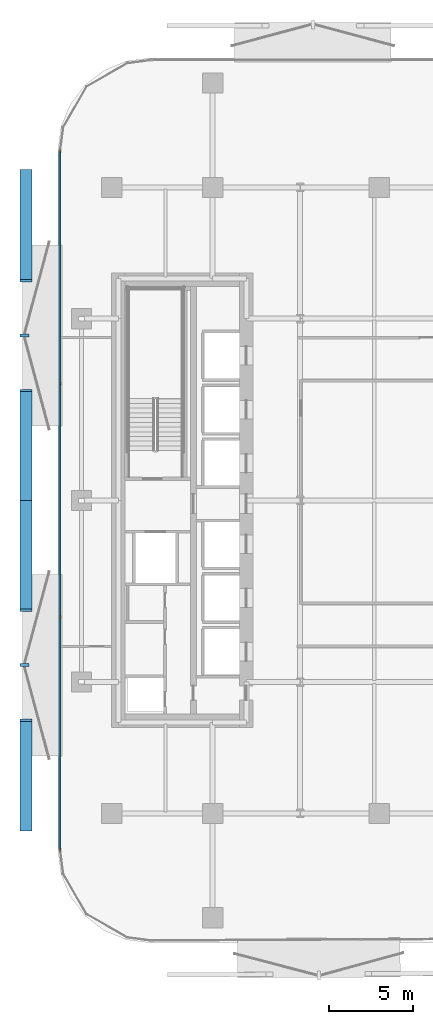
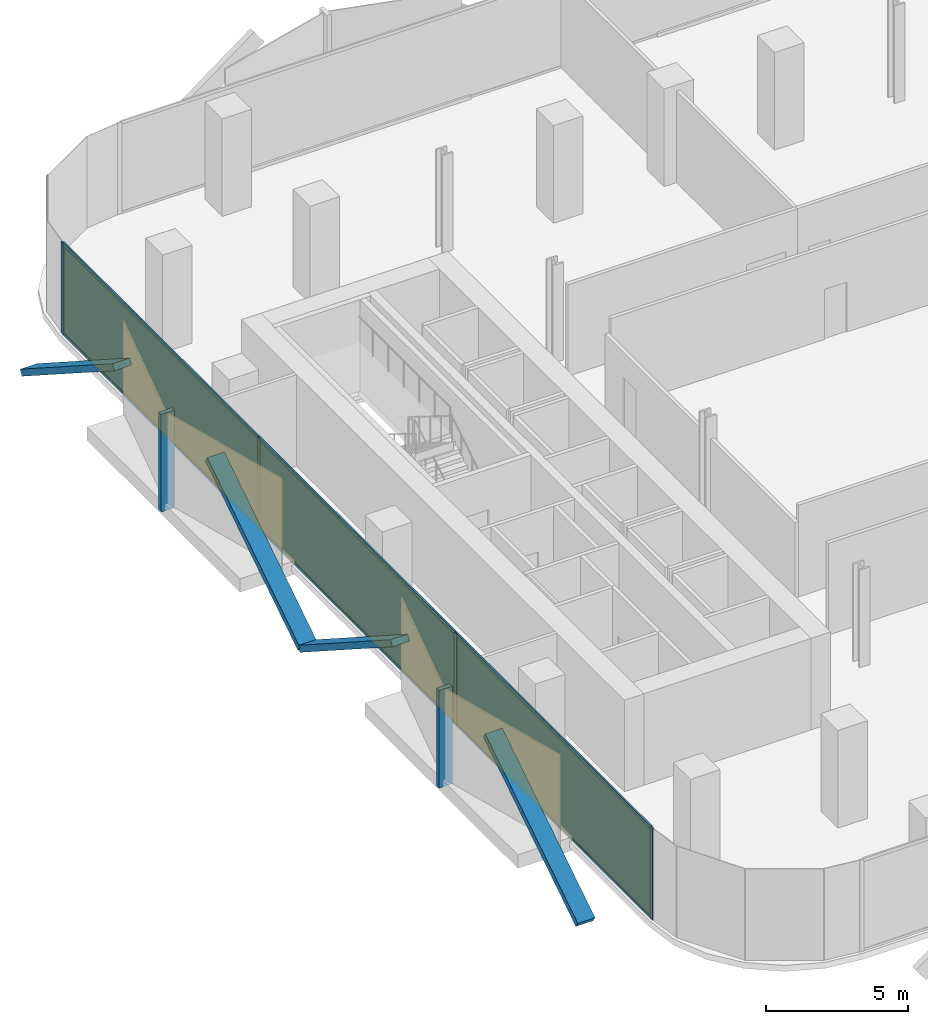
# One storey, part 7 of 14: 16 members, 3 plates, 1 curtain wall.
"""IFC4 building model written with IfcOpenShell, lengths in metres."""

import ifcopenshell
import ifcopenshell.guid

model = None  # the IFC model being written
_history = None  # IfcOwnerHistory: only IFC2X3 demands one
_inside = {}  # id of a spatial element -> (the spatial element, [elements in it])
_under = {}  # id of a project, library or spatial element -> (it, [spatial elements below it])
_declared = {}  # id of a project -> (the project, [libraries it declares])
_typed = {}  # id of a type object -> (the type object, [elements of that type])
_made_of = {}  # id of a material, layer set ... -> (it, [elements and type objects made of it])


def new_model(schema):
    """Start an empty IFC model of exactly this schema.

    Asked for "IFC4X3", IfcOpenShell would pick the latest addendum, in which some entities
    have other attributes; the version numbers below select the first issue.
    IFC2X3 requires an IfcOwnerHistory on every rooted entity: one is made here for all.
    """
    global model, _history
    if schema == "IFC4X3":
        model = ifcopenshell.file(schema_version=(4, 3, 0, 0))
    else:
        model = ifcopenshell.file(schema=schema)
    _inside.clear()
    _under.clear()
    _declared.clear()
    _typed.clear()
    _made_of.clear()
    _history = None
    if model.schema == "IFC2X3":
        org = make("IfcOrganization", Name="unknown")
        user = make(
            "IfcPersonAndOrganization",
            ThePerson=make("IfcPerson", FamilyName="unknown"),
            TheOrganization=org,
        )
        app = make(
            "IfcApplication",
            ApplicationDeveloper=org,
            Version="unknown",
            ApplicationFullName="unknown",
            ApplicationIdentifier="unknown",
        )
        _history = make(
            "IfcOwnerHistory",
            OwningUser=user,
            OwningApplication=app,
            ChangeAction="ADDED",
            CreationDate=0,
        )
    return model


def make(cls, **values):
    """One entity of the class cls with the attributes given. An attribute that is None is left unset."""
    return model.create_entity(
        cls, **{name: value for name, value in values.items() if value is not None}
    )


def rooted(cls, **values):
    """An entity with a GlobalId (a new one), such as an element, a storey or a relation."""
    return make(cls, GlobalId=ifcopenshell.guid.new(), OwnerHistory=_history, **values)


def si_unit(unit_type, name, prefix=None):
    """IfcSIUnit, for example si_unit("LENGTHUNIT", "METRE", prefix="MILLI")."""
    return make("IfcSIUnit", UnitType=unit_type, Prefix=prefix, Name=name)


def assignment(units):
    """IfcUnitAssignment: the units of a project."""
    return None if units is None else make("IfcUnitAssignment", Units=units)


def point(xyz):
    """IfcCartesianPoint."""
    return None if xyz is None else make("IfcCartesianPoint", Coordinates=xyz)


def direction(xyz):
    """IfcDirection."""
    return None if xyz is None else make("IfcDirection", DirectionRatios=xyz)


def frame(location, z_axis=None, x_axis=None):
    """IfcAxis2Placement3D, a coordinate frame: its origin and axes. An axis left out is left unset."""
    return make(
        "IfcAxis2Placement3D",
        Location=point(location),
        Axis=direction(z_axis),
        RefDirection=direction(x_axis),
    )


def frame_2d(location, x_axis=None):
    """IfcAxis2Placement2D, a coordinate frame in the plane: its origin and x axis."""
    return make(
        "IfcAxis2Placement2D", Location=point(location), RefDirection=direction(x_axis)
    )


def origin():
    """The frame at (0, 0, 0) with its axes left unset."""
    return frame((0.0, 0.0, 0.0))


def origin_2d():
    """The frame at (0, 0) in the plane with its x axis left unset."""
    return frame_2d((0.0, 0.0))


def place(relative_to, where):
    """IfcLocalPlacement: puts the frame where relative to a parent placement (None: the world)."""
    return make(
        "IfcLocalPlacement", PlacementRelTo=relative_to, RelativePlacement=where
    )


def context(
    kind, dimensions, precision=None, world=None, true_north=None, identifier=None
):
    """IfcGeometricRepresentationContext, for example the 3D "Model" context."""
    return make(
        "IfcGeometricRepresentationContext",
        ContextIdentifier=identifier,
        ContextType=kind,
        CoordinateSpaceDimension=dimensions,
        Precision=precision,
        WorldCoordinateSystem=world,
        TrueNorth=true_north,
    )


def subcontext(parent, identifier, kind, view, scale=None):
    """IfcGeometricRepresentationSubContext, for example "Body" below "Model"."""
    return make(
        "IfcGeometricRepresentationSubContext",
        ContextIdentifier=identifier,
        ContextType=kind,
        ParentContext=parent,
        TargetScale=scale,
        TargetView=view,
    )


def project(units=None, contexts=None):
    """IfcProject with its units and contexts."""
    return rooted(
        "IfcProject",
        Name="project",
        RepresentationContexts=contexts,
        UnitsInContext=assignment(units),
    )


def spatial(cls, under=None, at=None, **own):
    """A site, building, storey or space (cls), placed at a placement, below another one or the project."""
    s = rooted(cls, ObjectPlacement=at, **own)
    if under is not None:
        _under.setdefault(under.id(), (under, []))[1].append(s)
    return s


def profile(cls, at=None, kind="AREA", **sizes):
    """A parametric profile (cls). Its sizes go by their IFC names, for example OverallWidth=200.0."""
    return make(cls, ProfileType=kind, Position=at, **sizes)


def rectangle(**sizes):
    """IfcRectangleProfileDef."""
    return profile("IfcRectangleProfileDef", **sizes)


def extrude(swept, where, along, depth):
    """IfcExtrudedAreaSolid: the profile swept, set in the frame where, extruded along a direction by depth."""
    return make(
        "IfcExtrudedAreaSolid",
        SweptArea=swept,
        Position=where,
        ExtrudedDirection=direction(along),
        Depth=depth,
    )


def shape(context_of_items, identifier, shape_type, items):
    """IfcShapeRepresentation: the items that make up one representation, for example the "Body"."""
    return make(
        "IfcShapeRepresentation",
        ContextOfItems=context_of_items,
        RepresentationIdentifier=identifier,
        RepresentationType=shape_type,
        Items=items,
    )


def material(Name=None, Category=None):
    """IfcMaterial."""
    return make("IfcMaterial", Name=Name, Category=Category)


def layer(
    of_material, thickness, ventilated=None, Name=None, Category=None, Priority=None
):
    """IfcMaterialLayer: one layer of a wall or slab, of a material (None: an air gap)."""
    return make(
        "IfcMaterialLayer",
        Material=of_material,
        LayerThickness=thickness,
        IsVentilated=ventilated,
        Name=Name,
        Category=Category,
        Priority=Priority,
    )


def layer_set(layers, Name=None):
    """IfcMaterialLayerSet."""
    return make("IfcMaterialLayerSet", MaterialLayers=layers, LayerSetName=Name)


def material_profile(
    of_material, cross_section, Name=None, Category=None, Priority=None
):
    """IfcMaterialProfile: a cross section and its material."""
    return make(
        "IfcMaterialProfile",
        Name=Name,
        Material=of_material,
        Profile=cross_section,
        Priority=Priority,
        Category=Category,
    )


def profile_set(profiles, Name=None, composite=None):
    """IfcMaterialProfileSet."""
    return make(
        "IfcMaterialProfileSet",
        Name=Name,
        MaterialProfiles=profiles,
        CompositeProfile=composite,
    )


def made_of(thing, what):
    """Note that an element or type object is made of a material, layer set ...; save() writes the relation."""
    if what is not None:
        _made_of.setdefault(what.id(), (what, []))[1].append(thing)
    return thing


def type_object(cls, material=None, **own):
    """A type object (cls), such as IfcWallType, which elements share."""
    return made_of(rooted(cls, **own), material)


def element(
    cls,
    number,
    at=None,
    inside=None,
    cuts=None,
    type_object=None,
    material=None,
    context=None,
    identifier="Body",
    shape_type=None,
    held_by="IfcProductDefinitionShape",
    body=None,
    shapes=None,
    **own,
):
    """One element of the class cls, such as IfcWall. Its Tag is "e" and its number.

    at: its placement. inside: the storey or other place that contains it. cuts: it is an
    opening in that element (IfcRelVoidsElement). A single representation is given by context,
    identifier, shape_type and body (its items); several are given by shapes. held_by: the class
    of the entity that holds the representations. save() writes the other relations.
    """
    e = rooted(cls, Tag="e%d" % number, ObjectPlacement=at, **own)
    if body is not None:
        shapes = [shape(context, identifier, shape_type, body)]
    if shapes is not None:
        e.Representation = make(held_by, Representations=shapes)
    if inside is not None:
        _inside.setdefault(inside.id(), (inside, []))[1].append(e)
    if cuts is not None:
        rooted(
            "IfcRelVoidsElement", RelatingBuildingElement=cuts, RelatedOpeningElement=e
        )
    if type_object is not None:
        _typed.setdefault(type_object.id(), (type_object, []))[1].append(e)
    return made_of(e, material)


def aggregate(whole, parts):
    """IfcRelAggregates: a whole, such as a stair, and the parts it consists of."""
    return rooted("IfcRelAggregates", RelatingObject=whole, RelatedObjects=parts)


def save(model, path):
    """Write the relations noted so far, then the file.

    IfcRelAggregates (storeys below a building ...), IfcRelContainedInSpatialStructure (elements
    in a storey), IfcRelDefinesByType, IfcRelAssociatesMaterial and IfcRelDeclares: one each for
    every whole, place, type object, material and project.
    """
    for whole, parts in _under.values():
        aggregate(whole, parts)
    for where, things in _inside.values():
        rooted(
            "IfcRelContainedInSpatialStructure",
            RelatedElements=things,
            RelatingStructure=where,
        )
    for kind, things in _typed.values():
        rooted("IfcRelDefinesByType", RelatedObjects=things, RelatingType=kind)
    for what, things in _made_of.values():
        rooted("IfcRelAssociatesMaterial", RelatedObjects=things, RelatingMaterial=what)
    for by, libraries in _declared.values():
        rooted("IfcRelDeclares", RelatingContext=by, RelatedDefinitions=libraries)
    model.write(path)


model = new_model("IFC4")

# Units and contexts
model_context = context("Model", 3, precision=1e-05, world=origin(), true_north=direction((0.0, 1.0)))
body_context = subcontext(model_context, "Body", "Model", "MODEL_VIEW")
ifc_project = project(units=[si_unit("LENGTHUNIT", "METRE"), si_unit("AREAUNIT", "SQUARE_METRE"), si_unit("VOLUMEUNIT", "CUBIC_METRE"), si_unit("PLANEANGLEUNIT", "RADIAN"), si_unit("MASSUNIT", "GRAM", prefix="KILO")], contexts=[model_context])

# Member
ifc_material_1 = material(Name="Anodised Bronze Aluminium 6063-T6", Category="aluminium")
ifc_material_profile_1 = material_profile(ifc_material_1, rectangle(XDim=0.260009765625, YDim=0.699951171875, at=origin_2d()))
ifc_profile_set_1 = profile_set([ifc_material_profile_1], Name="Anodised Bronze Aluminium 6063-T6")
member_type_1 = type_object("IfcMemberType", Name="Bronze Diamond Solar-Screen Lattice Rib BDL-700", PredefinedType="MULLION", material=ifc_profile_set_1)
site_placement = place(None, origin())
building_placement = place(site_placement, origin())
storey_placement = place(building_placement, frame((0.0, 0.0, 93.199951171875)))
member_1_placement = place(storey_placement, frame((-25.5, -19.5908203125, -0.1298828125), z_axis=(0.0, 0.841066075866, 0.540932395062), x_axis=(0.0, -0.540932395062, 0.841066075866)))
member_1 = element("IfcMember", 1, at=member_1_placement, type_object=member_type_1, Name="L21 Bronze Diamond Solar Screen Lattice Rib 115A", PredefinedType="MULLION", context=body_context, shape_type="SweptSolid", body=[
    extrude(rectangle(XDim=0.260009765625, YDim=0.699951171875, at=origin_2d()), origin(), (0.0, 0.0, 1.0), 7.76416015625),
])

member_2_placement = place(storey_placement, frame((-25.5, 0.0, -0.1298828125), z_axis=(0.0, -0.841066075866, 0.540932395062), x_axis=(0.0, 0.540932395062, 0.841066075866)))
member_2 = element("IfcMember", 2, at=member_2_placement, type_object=member_type_1, Name="L21 Bronze Diamond Solar Screen Lattice Rib 115B", PredefinedType="MULLION", context=body_context, shape_type="SweptSolid", body=[
    extrude(rectangle(XDim=0.260009765625, YDim=0.699951171875, at=origin_2d()), origin(), (0.0, 0.0, 1.0), 7.76416015625),
])

member_3_placement = place(storey_placement, frame((-25.5, 0.0, -0.1298828125), z_axis=(0.0, 0.841066075866, 0.540932395062), x_axis=(0.0, -0.540932395062, 0.841066075866)))
member_3 = element("IfcMember", 3, at=member_3_placement, type_object=member_type_1, Name="L21 Bronze Diamond Solar Screen Lattice Rib 116A", PredefinedType="MULLION", context=body_context, shape_type="SweptSolid", body=[
    extrude(rectangle(XDim=0.260009765625, YDim=0.699951171875, at=origin_2d()), origin(), (0.0, 0.0, 1.0), 7.76416015625),
])

member_4_placement = place(storey_placement, frame((-25.5, 19.5908203125, -0.1298828125), z_axis=(0.0, -0.841066075866, 0.540932395062), x_axis=(0.0, 0.540932395062, 0.841066075866)))
member_4 = element("IfcMember", 4, at=member_4_placement, type_object=member_type_1, Name="L21 Bronze Diamond Solar Screen Lattice Rib 116B", PredefinedType="MULLION", context=body_context, shape_type="SweptSolid", body=[
    extrude(rectangle(XDim=0.260009765625, YDim=0.699951171875, at=origin_2d()), origin(), (0.0, 0.0, 1.0), 7.76416015625),
])

ifc_material_2 = material(Name="Anodised Bronze Aluminium 6063-T6", Category="aluminium")
ifc_material_profile_2 = material_profile(ifc_material_2, rectangle(XDim=0.179931640625, YDim=0.5400390625, at=origin_2d()))
ifc_profile_set_2 = profile_set([ifc_material_profile_2], Name="Anodised Bronze Aluminium 6063-T6")
member_type_2 = type_object("IfcMemberType", Name="Bronze Solar-Screen Vertical Fold Fin BSF-540", PredefinedType="MULLION", material=ifc_profile_set_2)
member_5_placement = place(storey_placement, frame((-25.580078125, -9.79541015625, -0.1298828125), z_axis=(0.0, 0.0, 1.0), x_axis=(0.0, 1.0, 0.0)))
member_5 = element("IfcMember", 5, at=member_5_placement, type_object=member_type_2, Name="L21 Bronze Solar Screen Vertical Fin 115", PredefinedType="MULLION", context=body_context, shape_type="SweptSolid", body=[
    extrude(rectangle(XDim=0.179931640625, YDim=0.5400390625, at=origin_2d()), origin(), (0.0, 0.0, 1.0), 4.199951171875),
])

member_6_placement = place(storey_placement, frame((-25.580078125, 9.79541015625, -0.1298828125), z_axis=(0.0, 0.0, 1.0), x_axis=(0.0, 1.0, 0.0)))
member_6 = element("IfcMember", 6, at=member_6_placement, type_object=member_type_2, Name="L21 Bronze Solar Screen Vertical Fin 116", PredefinedType="MULLION", context=body_context, shape_type="SweptSolid", body=[
    extrude(rectangle(XDim=0.179931640625, YDim=0.5400390625, at=origin_2d()), origin(), (0.0, 0.0, 1.0), 4.199951171875),
])

ifc_material_3 = material(Name="Anodised Bronze Aluminium 6063-T6", Category="aluminium")
ifc_material_profile_3 = material_profile(ifc_material_3, rectangle(XDim=0.06494140625, YDim=0.175048828125, at=origin_2d()))
ifc_profile_set_3 = profile_set([ifc_material_profile_3], Name="Anodised Bronze Aluminium 6063-T6")
member_type_3 = type_object("IfcMemberType", Name="CW-Z2 Mullion 65x175", PredefinedType="MULLION", material=ifc_profile_set_3)
member_7_placement = place(storey_placement, frame((-23.4599609375, -20.75830078125, 0.0), z_axis=(0.0, 0.0, 1.0), x_axis=(-1.0, 0.0, 0.0)))
member_7 = element("IfcMember", 7, at=member_7_placement, type_object=member_type_3, Name="CW-Z2 mullion 1", PredefinedType="MULLION", context=body_context, shape_type="SweptSolid", body=[
    extrude(rectangle(XDim=0.06494140625, YDim=0.175048828125, at=origin_2d()), origin(), (0.0, 0.0, 1.0), 3.93994140625),
])

member_8_placement = place(storey_placement, frame((-23.4599609375, -6.93017578125, 0.0), z_axis=(0.0, 0.0, 1.0), x_axis=(-1.0, 0.0, 0.0)))
member_8 = element("IfcMember", 8, at=member_8_placement, type_object=member_type_3, Name="CW-Z2 mullion 2", PredefinedType="MULLION", context=body_context, shape_type="SweptSolid", body=[
    extrude(rectangle(XDim=0.06494140625, YDim=0.175048828125, at=origin_2d()), origin(), (0.0, 0.0, 1.0), 3.93994140625),
])

member_9_placement = place(storey_placement, frame((-23.4599609375, 6.93017578125, 0.0), z_axis=(0.0, 0.0, 1.0), x_axis=(-1.0, 0.0, 0.0)))
member_9 = element("IfcMember", 9, at=member_9_placement, type_object=member_type_3, Name="CW-Z2 mullion 3", PredefinedType="MULLION", context=body_context, shape_type="SweptSolid", body=[
    extrude(rectangle(XDim=0.06494140625, YDim=0.175048828125, at=origin_2d()), origin(), (0.0, 0.0, 1.0), 3.93994140625),
])

member_10_placement = place(storey_placement, frame((-23.4599609375, 20.75830078125, 0.0), z_axis=(0.0, 0.0, 1.0), x_axis=(-1.0, 0.0, 0.0)))
member_10 = element("IfcMember", 10, at=member_10_placement, type_object=member_type_3, Name="CW-Z2 mullion 4", PredefinedType="MULLION", context=body_context, shape_type="SweptSolid", body=[
    extrude(rectangle(XDim=0.06494140625, YDim=0.175048828125, at=origin_2d()), origin(), (0.0, 0.0, 1.0), 3.93994140625),
])

ifc_material_4 = material(Name="Anodised Bronze Aluminium 6063-T6", Category="aluminium")
ifc_material_profile_4 = material_profile(ifc_material_4, rectangle(XDim=0.06494140625, YDim=0.135009765625, at=origin_2d()))
ifc_profile_set_4 = profile_set([ifc_material_profile_4], Name="Anodised Bronze Aluminium 6063-T6")
member_type_4 = type_object("IfcMemberType", Name="CW-Z2 Transom 65x135", PredefinedType="USERDEFINED", material=ifc_profile_set_4)
member_11_placement = place(storey_placement, frame((-23.4599609375, -20.725830078125, 0.032470703125), z_axis=(0.0, 1.0, 0.0), x_axis=(-1.0, 0.0, 0.0)))
member_11 = element("IfcMember", 11, at=member_11_placement, type_object=member_type_4, Name="CW-Z2 transom 1.1", ObjectType="TRANSOM", PredefinedType="USERDEFINED", context=body_context, shape_type="SweptSolid", body=[
    extrude(rectangle(XDim=0.06494140625, YDim=0.135009765625, at=origin_2d()), origin(), (0.0, 0.0, 1.0), 13.76318359375),
])

member_12_placement = place(storey_placement, frame((-23.4599609375, -20.725830078125, 3.907470703125), z_axis=(0.0, 1.0, 0.0), x_axis=(-1.0, 0.0, 0.0)))
member_12 = element("IfcMember", 12, at=member_12_placement, type_object=member_type_4, Name="CW-Z2 transom 1.2", ObjectType="TRANSOM", PredefinedType="USERDEFINED", context=body_context, shape_type="SweptSolid", body=[
    extrude(rectangle(XDim=0.06494140625, YDim=0.135009765625, at=origin_2d()), origin(), (0.0, 0.0, 1.0), 13.76318359375),
])

member_13_placement = place(storey_placement, frame((-23.4599609375, -6.897705078125, 0.032470703125), z_axis=(0.0, 1.0, 0.0), x_axis=(-1.0, 0.0, 0.0)))
member_13 = element("IfcMember", 13, at=member_13_placement, type_object=member_type_4, Name="CW-Z2 transom 2.1", ObjectType="TRANSOM", PredefinedType="USERDEFINED", context=body_context, shape_type="SweptSolid", body=[
    extrude(rectangle(XDim=0.06494140625, YDim=0.135009765625, at=origin_2d()), origin(), (0.0, 0.0, 1.0), 13.79541015625),
])

member_14_placement = place(storey_placement, frame((-23.4599609375, -6.897705078125, 3.907470703125), z_axis=(0.0, 1.0, 0.0), x_axis=(-1.0, 0.0, 0.0)))
member_14 = element("IfcMember", 14, at=member_14_placement, type_object=member_type_4, Name="CW-Z2 transom 2.2", ObjectType="TRANSOM", PredefinedType="USERDEFINED", context=body_context, shape_type="SweptSolid", body=[
    extrude(rectangle(XDim=0.06494140625, YDim=0.135009765625, at=origin_2d()), origin(), (0.0, 0.0, 1.0), 13.79541015625),
])

member_15_placement = place(storey_placement, frame((-23.4599609375, 6.962646484375, 0.032470703125), z_axis=(0.0, 1.0, 0.0), x_axis=(-1.0, 0.0, 0.0)))
member_15 = element("IfcMember", 15, at=member_15_placement, type_object=member_type_4, Name="CW-Z2 transom 3.1", ObjectType="TRANSOM", PredefinedType="USERDEFINED", context=body_context, shape_type="SweptSolid", body=[
    extrude(rectangle(XDim=0.06494140625, YDim=0.135009765625, at=origin_2d()), origin(), (0.0, 0.0, 1.0), 13.76318359375),
])

member_16_placement = place(storey_placement, frame((-23.4599609375, 6.962646484375, 3.907470703125), z_axis=(0.0, 1.0, 0.0), x_axis=(-1.0, 0.0, 0.0)))
member_16 = element("IfcMember", 16, at=member_16_placement, type_object=member_type_4, Name="CW-Z2 transom 3.2", ObjectType="TRANSOM", PredefinedType="USERDEFINED", context=body_context, shape_type="SweptSolid", body=[
    extrude(rectangle(XDim=0.06494140625, YDim=0.135009765625, at=origin_2d()), origin(), (0.0, 0.0, 1.0), 13.76318359375),
])

# Plate
ifc_material_5 = material(Name="Low-E Solar Control Laminated Glass", Category="glass")
ifc_layer_1 = layer(ifc_material_5, 0.028076171875, Name="Low-E Solar Control Laminated Glass")
ifc_layer_set_1 = layer_set([ifc_layer_1], Name="Low-E Solar Control Laminated Glass")
plate_type = type_object("IfcPlateType", Name="CW-Z2 Low-E Double Glazed Panel 28mm", PredefinedType="CURTAIN_PANEL", material=ifc_layer_set_1)
plate_1_placement = place(storey_placement, frame((-23.4599609375, -13.84423828125, 0.06494140625), z_axis=(0.0, 0.0, 1.0), x_axis=(0.0, 1.0, 0.0)))
plate_1 = element("IfcPlate", 17, at=plate_1_placement, type_object=plate_type, Name="CW-Z2 panel 1.1", PredefinedType="CURTAIN_PANEL", context=body_context, shape_type="SweptSolid", body=[
    extrude(rectangle(XDim=13.762939453125, YDim=0.028076171875, at=origin_2d()), origin(), (0.0, 0.0, 1.0), 3.81005859375),
])

plate_2_placement = place(storey_placement, frame((-23.4599609375, 0.0, 0.06494140625), z_axis=(0.0, 0.0, 1.0), x_axis=(0.0, 1.0, 0.0)))
plate_2 = element("IfcPlate", 18, at=plate_2_placement, type_object=plate_type, Name="CW-Z2 panel 2.1", PredefinedType="CURTAIN_PANEL", context=body_context, shape_type="SweptSolid", body=[
    extrude(rectangle(XDim=13.795654296875, YDim=0.028076171875, at=origin_2d()), origin(), (0.0, 0.0, 1.0), 3.81005859375),
])

plate_3_placement = place(storey_placement, frame((-23.4599609375, 13.84423828125, 0.06494140625), z_axis=(0.0, 0.0, 1.0), x_axis=(0.0, 1.0, 0.0)))
plate_3 = element("IfcPlate", 19, at=plate_3_placement, type_object=plate_type, Name="CW-Z2 panel 3.1", PredefinedType="CURTAIN_PANEL", context=body_context, shape_type="SweptSolid", body=[
    extrude(rectangle(XDim=13.762939453125, YDim=0.028076171875, at=origin_2d()), origin(), (0.0, 0.0, 1.0), 3.81005859375),
])

# Site, building, storey
site = spatial("IfcSite", under=ifc_project, at=site_placement, CompositionType="ELEMENT")
building = spatial("IfcBuilding", under=site, at=building_placement, Name="Khairoan Windgate Tower", CompositionType="ELEMENT")
storey = spatial("IfcBuildingStorey", under=building, at=storey_placement, Name="L21", CompositionType="ELEMENT", Elevation=93.199951171875)

# Curtain wall
ifc_material_6 = material(Name="Anodised Bronze Aluminium 6063-T6", Category="aluminium")
ifc_layer_2 = layer(ifc_material_6, 0.175048828125, Name="Anodised Bronze Aluminium 6063-T6")
ifc_layer_set_2 = layer_set([ifc_layer_2], Name="Anodised Bronze Aluminium 6063-T6")
curtain_wall_type = type_object("IfcCurtainWallType", Name="Mid-Rise Office Unitised Curtain Wall CW-Z2", PredefinedType="NOTDEFINED", material=ifc_layer_set_2)
curtain_wall_placement = place(storey_placement, frame((-23.4599609375, -20.790771484375, 0.0), z_axis=(0.0, 0.0, 1.0), x_axis=(0.0, 1.0, 0.0)))
curtain_wall = element("IfcCurtainWall", 20, at=curtain_wall_placement, inside=storey, type_object=curtain_wall_type, Name="L21 Unitised Curtain Wall 6", PredefinedType="NOTDEFINED", context=body_context, shape_type="SweptSolid", body=[
    extrude(rectangle(XDim=41.58154296875, YDim=0.010009765625, at=frame_2d((20.790771484375, 0.0))), origin(), (0.0, 0.0, 1.0), 3.93994140625),
])

aggregate(curtain_wall, [member_7, member_8, member_9, member_10, member_11, member_12, plate_1, member_13, member_14, plate_2, member_15, member_16, plate_3, member_1, member_2, member_5, member_3, member_4, member_6])

save(model, "model.ifc")
